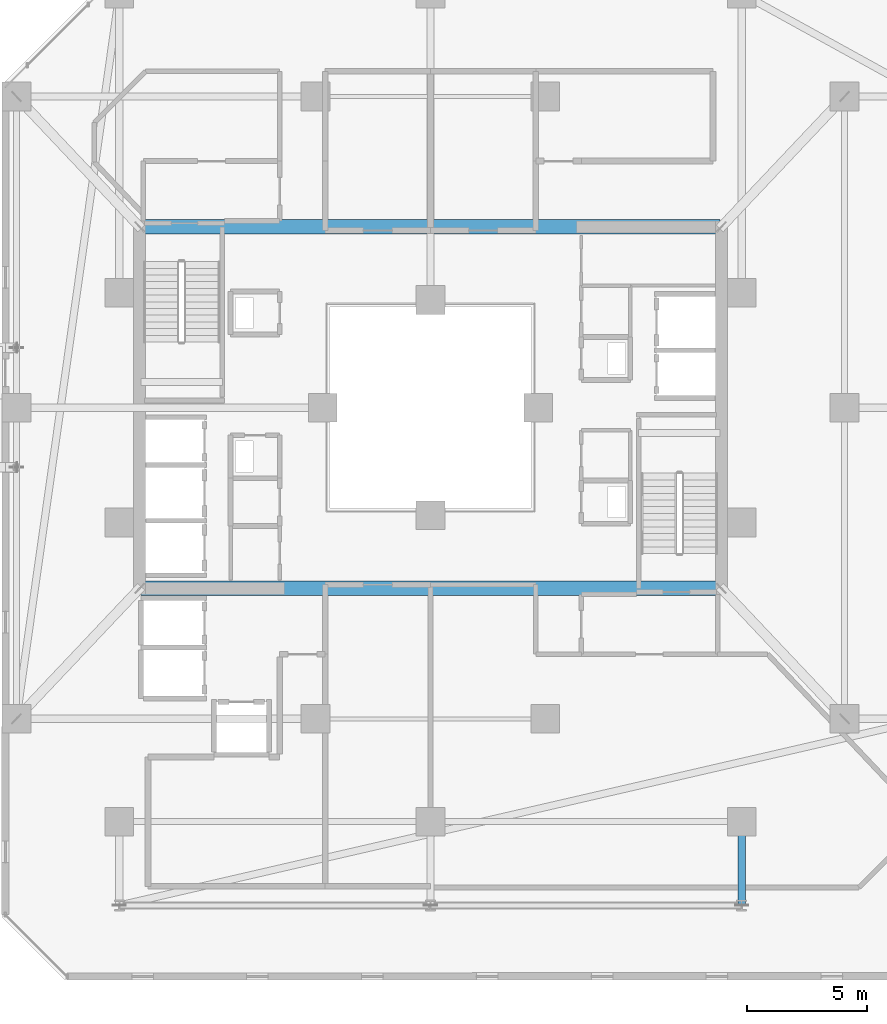
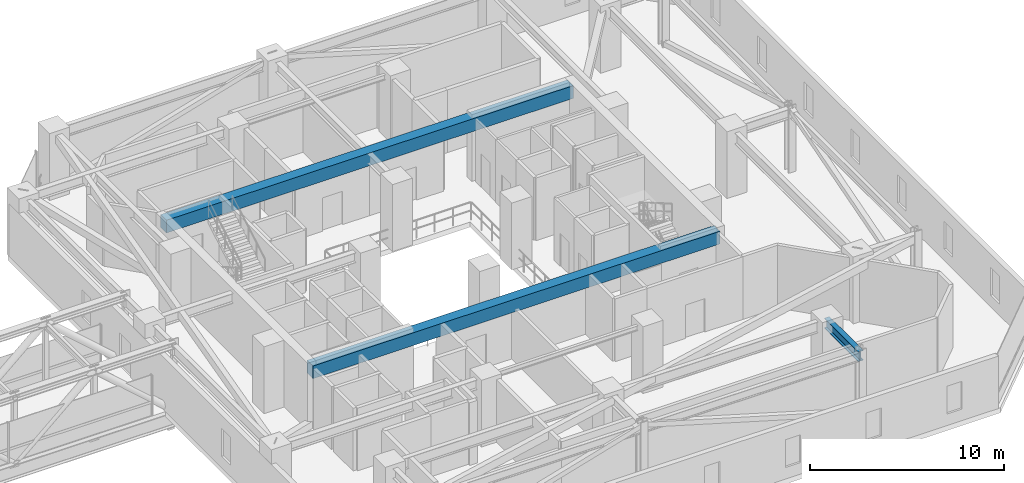
# One storey, part 22 of 45: 3 beams.
"""IFC4 building model written with IfcOpenShell, lengths in metres."""

from ifc_helpers import new_model, si_unit, direction, frame, origin, origin_2d, place, context, subcontext, project, spatial, rectangle, i_section, extrude, material, material_profile, profile_set, type_object, element, save


model = new_model("IFC4")

# Units and contexts
model_context = context("Model", 3, precision=1e-05, world=origin(), true_north=direction((0.0, 1.0)))
body_context = subcontext(model_context, "Body", "Model", "MODEL_VIEW")
ifc_project = project(units=[si_unit("LENGTHUNIT", "METRE"), si_unit("AREAUNIT", "SQUARE_METRE"), si_unit("VOLUMEUNIT", "CUBIC_METRE"), si_unit("PLANEANGLEUNIT", "RADIAN"), si_unit("MASSUNIT", "GRAM", prefix="KILO")], contexts=[model_context])

# Site, building, storey
site_placement = place(None, origin())
site = spatial("IfcSite", under=ifc_project, at=site_placement, CompositionType="ELEMENT")
building_placement = place(site_placement, origin())
building = spatial("IfcBuilding", under=site, at=building_placement, Name="Thornwick Lancets Civic Towers", CompositionType="ELEMENT")
storey_placement = place(building_placement, frame((0.0, 0.0, 141.300048828125)))
storey = spatial("IfcBuildingStorey", under=building, at=storey_placement, Name="L37", CompositionType="ELEMENT", Elevation=141.300048828125)

# Beams
ifc_material_1 = material(Name="Concrete C60/75", Category="concrete")
ifc_material_profile_1 = material_profile(ifc_material_1, rectangle(XDim=0.60009765625, YDim=0.800048828125, at=origin_2d()), Name="RC 600x800")
ifc_profile_set_1 = profile_set([ifc_material_profile_1], Name="Concrete C60/75")
beam_type_1 = type_object("IfcBeamType", Name="BM_COUP_RC800", PredefinedType="BEAM", material=ifc_profile_set_1)
for number, where, z_axis, x_axis, name in (
    (1, (76.39990234375, 34.550048828125, 3.56005859375), (1.0, 0.0, 0.0), (0.0, 1.0, 0.0), "CB-L37-B1"),
    (2, (76.39990234375, 19.449951171875, 3.56005859375), (1.0, 0.0, 0.0), (0.0, 1.0, 0.0), "CB-L37-B2"),
):
    element("IfcBeam", number, at=place(storey_placement, frame(where, z_axis=z_axis, x_axis=x_axis)), inside=storey, type_object=beam_type_1, Name=name, PredefinedType="BEAM", context=body_context, shape_type="SweptSolid", body=[
        extrude(rectangle(XDim=0.60009765625, YDim=0.800048828125, at=origin_2d()), origin(), (0.0, 0.0, 1.0), 24.2001953125),
    ])
ifc_material_2 = material(Name="Steel S355JR", Category="steel")
ifc_material_profile_2 = material_profile(ifc_material_2, i_section(OverallWidth=0.30712890625, OverallDepth=0.6201171875, WebThickness=0.01416015625, FlangeThickness=0.023681640625, FilletRadius=0.0166015625, at=origin_2d()), Name="UKB 610x305x179")
ifc_profile_set_2 = profile_set([ifc_material_profile_2], Name="Steel S355JR")
beam_type_2 = type_object("IfcBeamType", Name="BM_GIRD_610_179", PredefinedType="BEAM", material=ifc_profile_set_2)
beam_placement = place(storey_placement, frame((101.5, 9.699951171875, 3.64990234375), z_axis=(0.0, -1.0, 0.0), x_axis=(1.0, 0.0, 0.0)))
element("IfcBeam", 3, at=beam_placement, inside=storey, type_object=beam_type_2, Name="BM-RAD-L37-B10", PredefinedType="BEAM", context=body_context, shape_type="SweptSolid", body=[
    extrude(i_section(OverallWidth=0.30712890625, OverallDepth=0.6201171875, WebThickness=0.01416015625, FlangeThickness=0.023681640625, FilletRadius=0.0166015625, at=origin_2d()), origin(), (0.0, 0.0, 1.0), 3.5),
])

save(model, "model.ifc")
